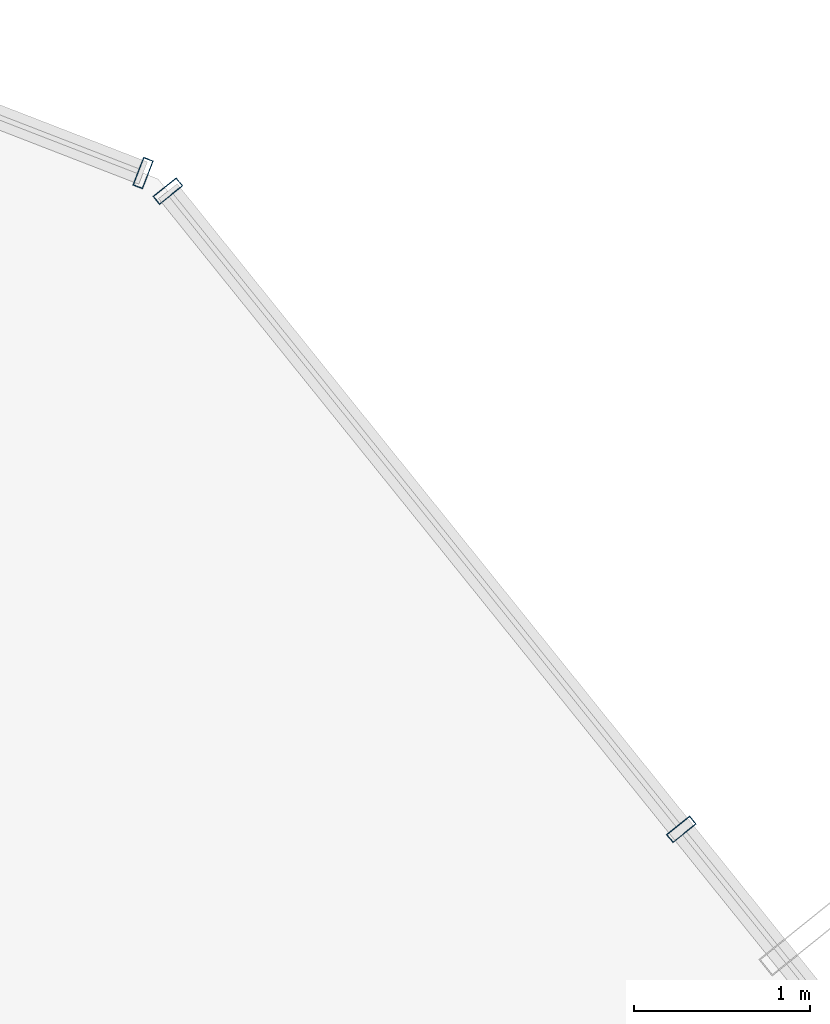
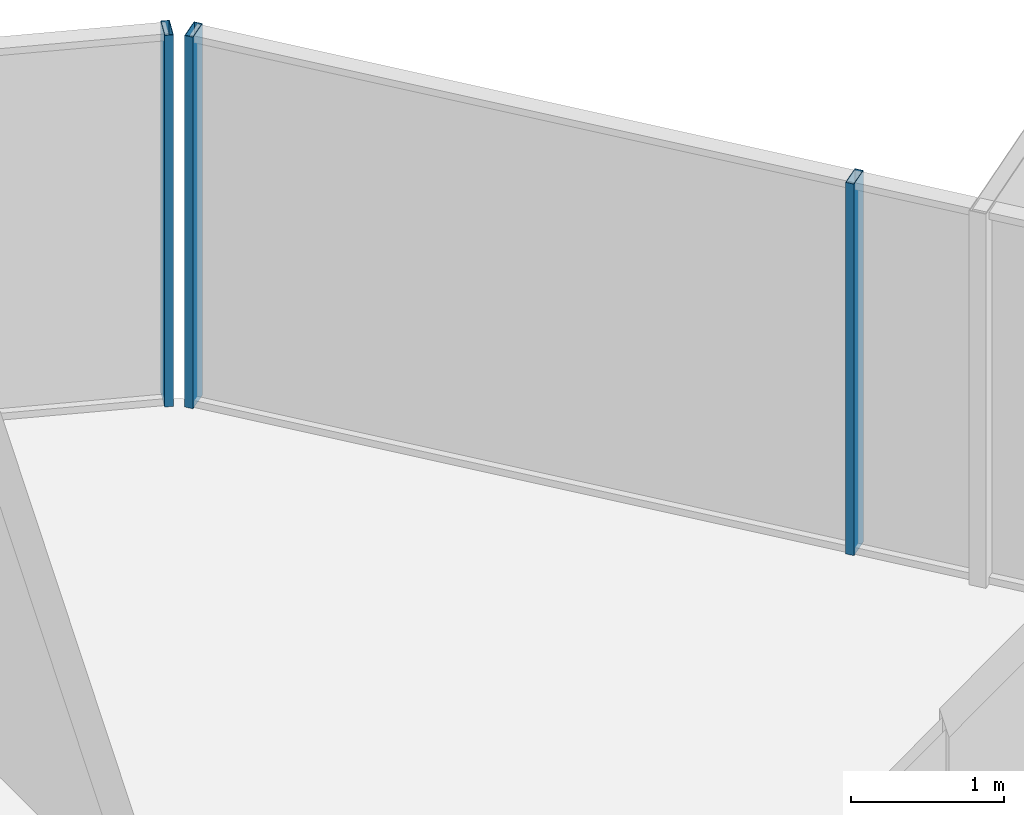
# One storey, part 31 of 37: 3 members, 2 elements without a shape of their own.
"""IFC4 building model written with IfcOpenShell, lengths in metres."""

import ifcopenshell
import ifcopenshell.guid

model = None  # the IFC model being written
_history = None  # IfcOwnerHistory: only IFC2X3 demands one
_inside = {}  # id of a spatial element -> (the spatial element, [elements in it])
_under = {}  # id of a project, library or spatial element -> (it, [spatial elements below it])
_declared = {}  # id of a project -> (the project, [libraries it declares])
_typed = {}  # id of a type object -> (the type object, [elements of that type])
_made_of = {}  # id of a material, layer set ... -> (it, [elements and type objects made of it])


def new_model(schema):
    """Start an empty IFC model of exactly this schema.

    Asked for "IFC4X3", IfcOpenShell would pick the latest addendum, in which some entities
    have other attributes; the version numbers below select the first issue.
    IFC2X3 requires an IfcOwnerHistory on every rooted entity: one is made here for all.
    """
    global model, _history
    if schema == "IFC4X3":
        model = ifcopenshell.file(schema_version=(4, 3, 0, 0))
    else:
        model = ifcopenshell.file(schema=schema)
    _inside.clear()
    _under.clear()
    _declared.clear()
    _typed.clear()
    _made_of.clear()
    _history = None
    if model.schema == "IFC2X3":
        org = make("IfcOrganization", Name="unknown")
        user = make(
            "IfcPersonAndOrganization",
            ThePerson=make("IfcPerson", FamilyName="unknown"),
            TheOrganization=org,
        )
        app = make(
            "IfcApplication",
            ApplicationDeveloper=org,
            Version="unknown",
            ApplicationFullName="unknown",
            ApplicationIdentifier="unknown",
        )
        _history = make(
            "IfcOwnerHistory",
            OwningUser=user,
            OwningApplication=app,
            ChangeAction="ADDED",
            CreationDate=0,
        )
    return model


def make(cls, **values):
    """One entity of the class cls with the attributes given. An attribute that is None is left unset."""
    return model.create_entity(
        cls, **{name: value for name, value in values.items() if value is not None}
    )


def rooted(cls, **values):
    """An entity with a GlobalId (a new one), such as an element, a storey or a relation."""
    return make(cls, GlobalId=ifcopenshell.guid.new(), OwnerHistory=_history, **values)


def si_unit(unit_type, name, prefix=None):
    """IfcSIUnit, for example si_unit("LENGTHUNIT", "METRE", prefix="MILLI")."""
    return make("IfcSIUnit", UnitType=unit_type, Prefix=prefix, Name=name)


def assignment(units):
    """IfcUnitAssignment: the units of a project."""
    return None if units is None else make("IfcUnitAssignment", Units=units)


def point(xyz):
    """IfcCartesianPoint."""
    return None if xyz is None else make("IfcCartesianPoint", Coordinates=xyz)


def direction(xyz):
    """IfcDirection."""
    return None if xyz is None else make("IfcDirection", DirectionRatios=xyz)


def frame(location, z_axis=None, x_axis=None):
    """IfcAxis2Placement3D, a coordinate frame: its origin and axes. An axis left out is left unset."""
    return make(
        "IfcAxis2Placement3D",
        Location=point(location),
        Axis=direction(z_axis),
        RefDirection=direction(x_axis),
    )


def frame_2d(location, x_axis=None):
    """IfcAxis2Placement2D, a coordinate frame in the plane: its origin and x axis."""
    return make(
        "IfcAxis2Placement2D", Location=point(location), RefDirection=direction(x_axis)
    )


def origin():
    """The frame at (0, 0, 0) with its axes left unset."""
    return frame((0.0, 0.0, 0.0))


def origin_2d():
    """The frame at (0, 0) in the plane with its x axis left unset."""
    return frame_2d((0.0, 0.0))


def place(relative_to, where):
    """IfcLocalPlacement: puts the frame where relative to a parent placement (None: the world)."""
    return make(
        "IfcLocalPlacement", PlacementRelTo=relative_to, RelativePlacement=where
    )


def context(
    kind, dimensions, precision=None, world=None, true_north=None, identifier=None
):
    """IfcGeometricRepresentationContext, for example the 3D "Model" context."""
    return make(
        "IfcGeometricRepresentationContext",
        ContextIdentifier=identifier,
        ContextType=kind,
        CoordinateSpaceDimension=dimensions,
        Precision=precision,
        WorldCoordinateSystem=world,
        TrueNorth=true_north,
    )


def subcontext(parent, identifier, kind, view, scale=None):
    """IfcGeometricRepresentationSubContext, for example "Body" below "Model"."""
    return make(
        "IfcGeometricRepresentationSubContext",
        ContextIdentifier=identifier,
        ContextType=kind,
        ParentContext=parent,
        TargetScale=scale,
        TargetView=view,
    )


def project(units=None, contexts=None):
    """IfcProject with its units and contexts."""
    return rooted(
        "IfcProject",
        Name="project",
        RepresentationContexts=contexts,
        UnitsInContext=assignment(units),
    )


def spatial(cls, under=None, at=None, **own):
    """A site, building, storey or space (cls), placed at a placement, below another one or the project."""
    s = rooted(cls, ObjectPlacement=at, **own)
    if under is not None:
        _under.setdefault(under.id(), (under, []))[1].append(s)
    return s


def profile(cls, at=None, kind="AREA", **sizes):
    """A parametric profile (cls). Its sizes go by their IFC names, for example OverallWidth=200.0."""
    return make(cls, ProfileType=kind, Position=at, **sizes)


def hollow_rectangle(**sizes):
    """IfcRectangleHollowProfileDef."""
    return profile("IfcRectangleHollowProfileDef", **sizes)


def extrude(swept, where, along, depth):
    """IfcExtrudedAreaSolid: the profile swept, set in the frame where, extruded along a direction by depth."""
    return make(
        "IfcExtrudedAreaSolid",
        SweptArea=swept,
        Position=where,
        ExtrudedDirection=direction(along),
        Depth=depth,
    )


def shape(context_of_items, identifier, shape_type, items):
    """IfcShapeRepresentation: the items that make up one representation, for example the "Body"."""
    return make(
        "IfcShapeRepresentation",
        ContextOfItems=context_of_items,
        RepresentationIdentifier=identifier,
        RepresentationType=shape_type,
        Items=items,
    )


def source(mapping_origin, context_of_items, identifier, shape_type, items):
    """IfcRepresentationMap: a shape defined once, which mapped items show again and again."""
    return make(
        "IfcRepresentationMap",
        MappingOrigin=mapping_origin,
        MappedRepresentation=shape(context_of_items, identifier, shape_type, items),
    )


def transform(
    local_origin,
    x_axis=None,
    y_axis=None,
    z_axis=None,
    scale=None,
    scale2=None,
    scale3=None,
    uniform=True,
):
    """IfcCartesianTransformationOperator3D, or its non-uniform kind. x_axis, y_axis, z_axis: its Axis1, 2, 3."""
    if uniform:
        return make(
            "IfcCartesianTransformationOperator3D",
            Axis1=direction(x_axis),
            Axis2=direction(y_axis),
            LocalOrigin=point(local_origin),
            Scale=scale,
            Axis3=direction(z_axis),
        )
    return make(
        "IfcCartesianTransformationOperator3DnonUniform",
        Axis1=direction(x_axis),
        Axis2=direction(y_axis),
        LocalOrigin=point(local_origin),
        Scale=scale,
        Axis3=direction(z_axis),
        Scale2=scale2,
        Scale3=scale3,
    )


def mapped(mapping_source, mapping_target):
    """IfcMappedItem: shows the shape of a source again, moved by a transform."""
    return make(
        "IfcMappedItem", MappingSource=mapping_source, MappingTarget=mapping_target
    )


def material(Name=None, Category=None):
    """IfcMaterial."""
    return make("IfcMaterial", Name=Name, Category=Category)


def layer(
    of_material, thickness, ventilated=None, Name=None, Category=None, Priority=None
):
    """IfcMaterialLayer: one layer of a wall or slab, of a material (None: an air gap)."""
    return make(
        "IfcMaterialLayer",
        Material=of_material,
        LayerThickness=thickness,
        IsVentilated=ventilated,
        Name=Name,
        Category=Category,
        Priority=Priority,
    )


def layer_set(layers, Name=None):
    """IfcMaterialLayerSet."""
    return make("IfcMaterialLayerSet", MaterialLayers=layers, LayerSetName=Name)


def material_profile(
    of_material, cross_section, Name=None, Category=None, Priority=None
):
    """IfcMaterialProfile: a cross section and its material."""
    return make(
        "IfcMaterialProfile",
        Name=Name,
        Material=of_material,
        Profile=cross_section,
        Priority=Priority,
        Category=Category,
    )


def profile_set(profiles, Name=None, composite=None):
    """IfcMaterialProfileSet."""
    return make(
        "IfcMaterialProfileSet",
        Name=Name,
        MaterialProfiles=profiles,
        CompositeProfile=composite,
    )


def made_of(thing, what):
    """Note that an element or type object is made of a material, layer set ...; save() writes the relation."""
    if what is not None:
        _made_of.setdefault(what.id(), (what, []))[1].append(thing)
    return thing


def type_object(cls, material=None, **own):
    """A type object (cls), such as IfcWallType, which elements share."""
    return made_of(rooted(cls, **own), material)


def element(
    cls,
    number,
    at=None,
    inside=None,
    cuts=None,
    type_object=None,
    material=None,
    context=None,
    identifier="Body",
    shape_type=None,
    held_by="IfcProductDefinitionShape",
    body=None,
    shapes=None,
    **own,
):
    """One element of the class cls, such as IfcWall. Its Tag is "e" and its number.

    at: its placement. inside: the storey or other place that contains it. cuts: it is an
    opening in that element (IfcRelVoidsElement). A single representation is given by context,
    identifier, shape_type and body (its items); several are given by shapes. held_by: the class
    of the entity that holds the representations. save() writes the other relations.
    """
    e = rooted(cls, Tag="e%d" % number, ObjectPlacement=at, **own)
    if body is not None:
        shapes = [shape(context, identifier, shape_type, body)]
    if shapes is not None:
        e.Representation = make(held_by, Representations=shapes)
    if inside is not None:
        _inside.setdefault(inside.id(), (inside, []))[1].append(e)
    if cuts is not None:
        rooted(
            "IfcRelVoidsElement", RelatingBuildingElement=cuts, RelatedOpeningElement=e
        )
    if type_object is not None:
        _typed.setdefault(type_object.id(), (type_object, []))[1].append(e)
    return made_of(e, material)


def aggregate(whole, parts):
    """IfcRelAggregates: a whole, such as a stair, and the parts it consists of."""
    return rooted("IfcRelAggregates", RelatingObject=whole, RelatedObjects=parts)


def save(model, path):
    """Write the relations noted so far, then the file.

    IfcRelAggregates (storeys below a building ...), IfcRelContainedInSpatialStructure (elements
    in a storey), IfcRelDefinesByType, IfcRelAssociatesMaterial and IfcRelDeclares: one each for
    every whole, place, type object, material and project.
    """
    for whole, parts in _under.values():
        aggregate(whole, parts)
    for where, things in _inside.values():
        rooted(
            "IfcRelContainedInSpatialStructure",
            RelatedElements=things,
            RelatingStructure=where,
        )
    for kind, things in _typed.values():
        rooted("IfcRelDefinesByType", RelatedObjects=things, RelatingType=kind)
    for what, things in _made_of.values():
        rooted("IfcRelAssociatesMaterial", RelatedObjects=things, RelatingMaterial=what)
    for by, libraries in _declared.values():
        rooted("IfcRelDeclares", RelatingContext=by, RelatedDefinitions=libraries)
    model.write(path)


model = new_model("IFC4")

# Units and contexts
model_context = context("Model", 3, precision=1e-05, world=origin(), true_north=direction((0.0, 1.0)))
body_context = subcontext(model_context, "Body", "Model", "MODEL_VIEW")
ifc_project = project(units=[si_unit("LENGTHUNIT", "METRE"), si_unit("AREAUNIT", "SQUARE_METRE"), si_unit("VOLUMEUNIT", "CUBIC_METRE"), si_unit("PLANEANGLEUNIT", "RADIAN"), si_unit("MASSUNIT", "GRAM", prefix="KILO")], contexts=[model_context])

# Site, building, storey
site_placement = place(None, origin())
site = spatial("IfcSite", under=ifc_project, at=site_placement, CompositionType="ELEMENT")
building_placement = place(site_placement, origin())
building = spatial("IfcBuilding", under=site, at=building_placement, Name="Veraguas Prism Commons", CompositionType="ELEMENT")
storey_placement = place(building_placement, frame((0.0, 0.0, 53.300048828125)))
storey = spatial("IfcBuildingStorey", under=building, at=storey_placement, Name="L14", CompositionType="ELEMENT", Elevation=53.300048828125)

# Curtain wall, members
ifc_material = material(Name="Anodised aluminium EN AW-6063 T6", Category="aluminium")
ifc_layer = layer(ifc_material, 0.169921875, Name="Unitised Flush Curtain Wall Zone 1", Category="aluminium")
ifc_layer_set = layer_set([ifc_layer], Name="Anodised aluminium EN AW-6063 T6")
curtain_wall_type = type_object("IfcCurtainWallType", Name="Unitised Flush Curtain Wall Zone 1", PredefinedType="NOTDEFINED", material=ifc_layer_set)
curtain_wall_1_placement = place(storey_placement, origin())
curtain_wall_1 = element("IfcCurtainWall", 1, at=curtain_wall_1_placement, inside=storey, type_object=curtain_wall_type, Name="Tower Facade Curtain Wall L14-F1", PredefinedType="NOTDEFINED")
ifc_material_profile = material_profile(ifc_material, hollow_rectangle(XDim=0.06005859375, YDim=0.169921875, WallThickness=0.00390625, at=origin_2d()), Name="AL60X170X4")
ifc_profile_set = profile_set([ifc_material_profile], Name="Anodised aluminium EN AW-6063 T6")
member_type = type_object("IfcMemberType", Name="Curtain Wall Mullion Lower AL 60x170x4", PredefinedType="MULLION", material=ifc_profile_set)
shared_shape = source(origin(), body_context, "Body", "SweptSolid", [
    extrude(hollow_rectangle(XDim=0.06005859375, YDim=0.169921875, WallThickness=0.00390625, at=origin_2d()), origin(), (0.0, 0.0, 1.0), 2.969970703125),
])
member_1_placement = place(storey_placement, frame((37.265625, 40.668701171875, 0.0), z_axis=(0.0, 0.0, 1.0), x_axis=(-0.626873093811, 0.779121379668, 0.0)))
member_1 = element("IfcMember", 2, at=member_1_placement, type_object=member_type, Name="CW-Z1 Mullion 4", PredefinedType="MULLION", context=body_context, shape_type="MappedRepresentation", body=[
    mapped(shared_shape, transform((0.0, 0.0, 0.0), scale=1.0)),
])
member_2_placement = place(storey_placement, frame((34.356201171875, 44.284423828125, 0.0), z_axis=(0.0, 0.0, 1.0), x_axis=(-0.626873093811, 0.779121379668, 0.0)))
member_2 = element("IfcMember", 3, at=member_2_placement, type_object=member_type, Name="CW-Z1 Mullion 5", PredefinedType="MULLION", context=body_context, shape_type="MappedRepresentation", body=[
    mapped(shared_shape, transform((0.0, 0.0, 0.0), scale=1.0)),
])
aggregate(curtain_wall_1, [member_1, member_2])

# Curtain wall, member
curtain_wall_2_placement = place(storey_placement, origin())
curtain_wall_2 = element("IfcCurtainWall", 4, at=curtain_wall_2_placement, inside=storey, type_object=curtain_wall_type, Name="Chamfer Curtain Wall L14-C2", PredefinedType="NOTDEFINED")
member_3_placement = place(storey_placement, frame((34.2158203125, 44.38720703125, 0.0), z_axis=(0.0, 0.0, 1.0), x_axis=(-0.932458803125, 0.361276321498, 0.0)))
member_3 = element("IfcMember", 5, at=member_3_placement, type_object=member_type, Name="CW-Z1 Mullion 1", PredefinedType="MULLION", context=body_context, shape_type="MappedRepresentation", body=[
    mapped(shared_shape, transform((0.0, 0.0, 0.0), scale=1.0)),
])
aggregate(curtain_wall_2, [member_3])

save(model, "model.ifc")
